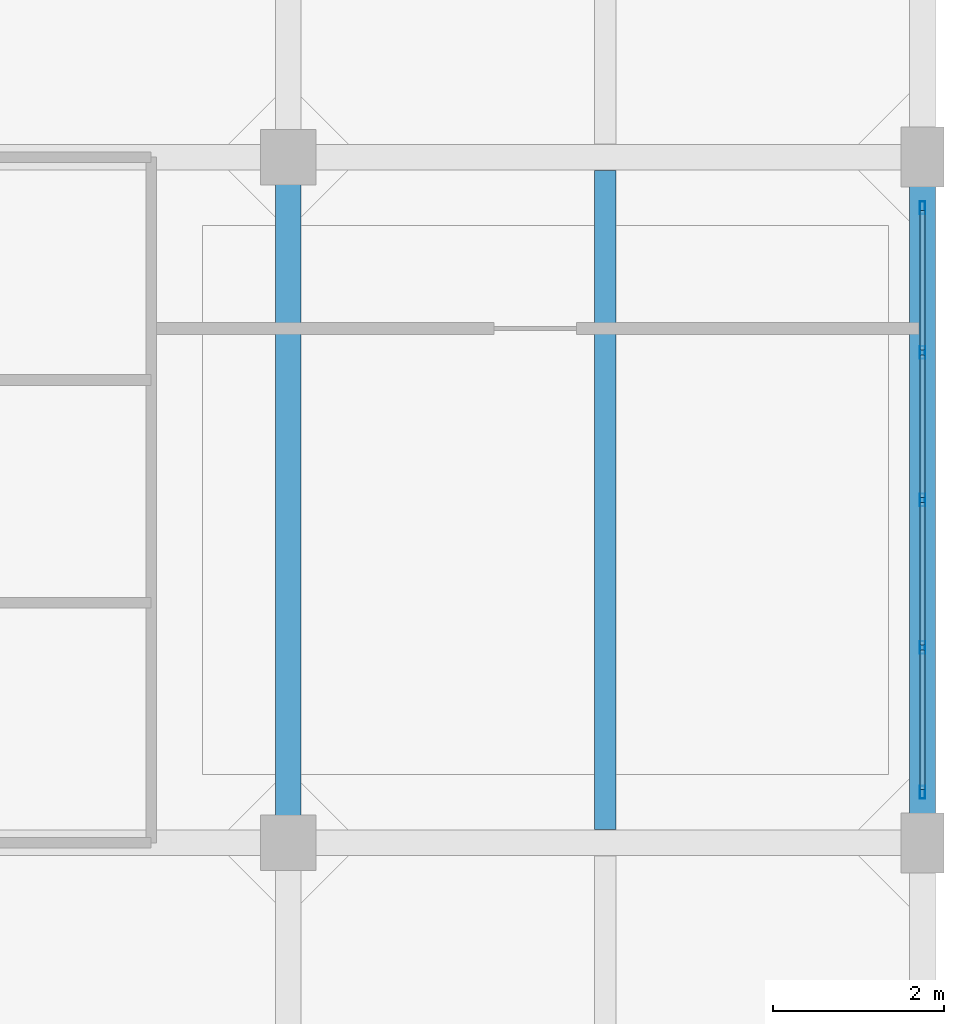
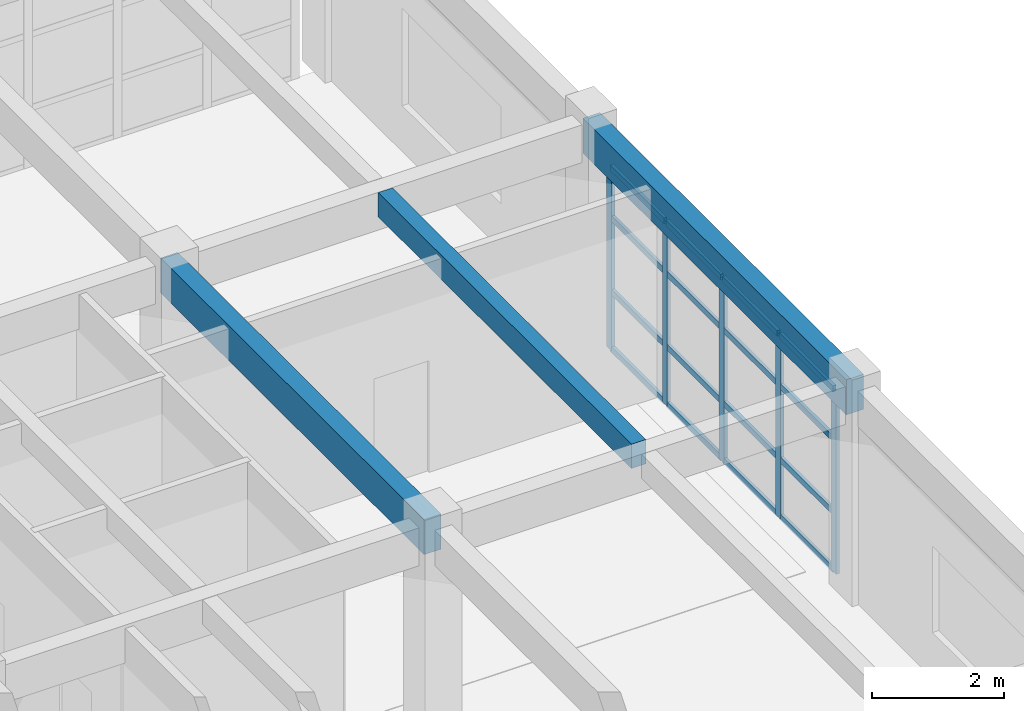
# One storey, part 8 of 18: 21 members, 3 beams, 1 element without a shape of its own.
"""IFC4 building model written with IfcOpenShell, lengths in metres."""

from ifc_helpers import new_model, si_unit, direction, frame, origin, origin_2d, place, context, subcontext, project, spatial, rectangle, hollow_rectangle, extrude, material, layer, layer_set, material_profile, profile_set, type_object, element, aggregate, save


model = new_model("IFC4")

# Units and contexts
model_context = context("Model", 3, precision=1e-05, world=origin(), true_north=direction((0.0, 1.0)))
body_context = subcontext(model_context, "Body", "Model", "MODEL_VIEW")
ifc_project = project(units=[si_unit("LENGTHUNIT", "METRE"), si_unit("AREAUNIT", "SQUARE_METRE"), si_unit("VOLUMEUNIT", "CUBIC_METRE"), si_unit("PLANEANGLEUNIT", "RADIAN"), si_unit("MASSUNIT", "GRAM", prefix="KILO")], contexts=[model_context])

# Site, building, storey
site_placement = place(None, origin())
site = spatial("IfcSite", under=ifc_project, at=site_placement, CompositionType="ELEMENT")
building_placement = place(site_placement, origin())
building = spatial("IfcBuilding", under=site, at=building_placement, Name="Canggui Botanical Conservatory", CompositionType="ELEMENT")
storey_placement = place(building_placement, frame((0.0, 0.0, 61.199951171875)))
storey = spatial("IfcBuildingStorey", under=building, at=storey_placement, Name="L15", CompositionType="ELEMENT", Elevation=61.199951171875)

# Beams
ifc_material_1 = material(Name="Concrete C35", Category="concrete")
ifc_material_profile_1 = material_profile(ifc_material_1, rectangle(XDim=0.25, YDim=0.449951171875, at=origin_2d()), Name="RB 250x450")
ifc_profile_set_1 = profile_set([ifc_material_profile_1], Name="Concrete C35")
beam_type_1 = type_object("IfcBeamType", Name="BM-JST05", PredefinedType="JOIST", material=ifc_profile_set_1)
beam_placement = place(storey_placement, frame((173.699951171875, 50.155029296875, 3.735107421875), z_axis=(0.0, 1.0, 0.0), x_axis=(-1.0, 0.0, 0.0)))
element("IfcBeam", 1, at=beam_placement, inside=storey, type_object=beam_type_1, Name="Secondary Floor Joist L15-4-2", PredefinedType="JOIST", context=body_context, shape_type="SweptSolid", body=[
    extrude(rectangle(XDim=0.25, YDim=0.449951171875, at=origin_2d()), origin(), (0.0, 0.0, 1.0), 7.68994140625),
])
ifc_material_profile_2 = material_profile(ifc_material_1, rectangle(XDim=0.300048828125, YDim=0.64990234375, at=origin_2d()), Name="RB 300x650")
ifc_profile_set_2 = profile_set([ifc_material_profile_2], Name="Concrete C35")
beam_type_2 = type_object("IfcBeamType", Name="BM-KL22", PredefinedType="BEAM", material=ifc_profile_set_2)
for number, where, z_axis, x_axis, name in (
    (2, (170.0, 50.0, 3.635009765625), (0.0, 1.0, 0.0), (-1.0, 0.0, 0.0), "Frame Girder L15 X170-2"),
    (3, (177.39990234375, 50.0, 3.635009765625), (0.0, 1.0, 0.0), (-1.0, 0.0, 0.0), "Frame Girder L15 X178-2"),
):
    element("IfcBeam", number, at=place(storey_placement, frame(where, z_axis=z_axis, x_axis=x_axis)), inside=storey, type_object=beam_type_2, Name=name, PredefinedType="BEAM", context=body_context, shape_type="SweptSolid", body=[
        extrude(rectangle(XDim=0.300048828125, YDim=0.64990234375, at=origin_2d()), origin(), (0.0, 0.0, 1.0), 8.0),
    ])

# Curtain wall, members
ifc_material_2 = material(Name="Thermally Broken Aluminium", Category="aluminium")
ifc_layer = layer(ifc_material_2, 0.14990234375, Name="Thermally Broken Aluminium", Category="aluminium")
ifc_layer_set = layer_set([ifc_layer], Name="Thermally Broken Aluminium")
curtain_wall_type = type_object("IfcCurtainWallType", Name="CW-UNIT-C", PredefinedType="USERDEFINED", material=ifc_layer_set)
curtain_wall_placement = place(storey_placement, origin())
curtain_wall = element("IfcCurtainWall", 4, at=curtain_wall_placement, inside=storey, type_object=curtain_wall_type, Name="Facade Curtain Wall CW-TWR-L15-11", ObjectType="UNITISED CURTAIN WALL", PredefinedType="USERDEFINED")
ifc_material_profile_3 = material_profile(ifc_material_2, hollow_rectangle(XDim=0.06005859375, YDim=0.14990234375, WallThickness=0.00341796875, at=origin_2d()), Name="CWM 60x150x3.5")
ifc_profile_set_3 = profile_set([ifc_material_profile_3], Name="Thermally Broken Aluminium")
member_type_1 = type_object("IfcMemberType", Name="CWM-03", PredefinedType="MULLION", material=ifc_profile_set_3)
member_1_placement = place(storey_placement, frame((177.39990234375, 57.409912109375, 0.0), z_axis=(0.0, 0.0, 1.0), x_axis=(1.0, 0.0, 0.0)))
member_1 = element("IfcMember", 5, at=member_1_placement, type_object=member_type_1, Name="CW-03 mullion 1", PredefinedType="MULLION", context=body_context, shape_type="SweptSolid", body=[
    extrude(hollow_rectangle(XDim=0.06005859375, YDim=0.14990234375, WallThickness=0.00341796875, at=origin_2d()), origin(), (0.0, 0.0, 1.0), 3.400146484375),
])
member_2_placement = place(storey_placement, frame((177.39990234375, 55.719970703125, 0.0), z_axis=(0.0, 0.0, 1.0), x_axis=(1.0, 0.0, 0.0)))
member_2 = element("IfcMember", 6, at=member_2_placement, type_object=member_type_1, Name="CW-03 mullion 2", PredefinedType="MULLION", context=body_context, shape_type="SweptSolid", body=[
    extrude(hollow_rectangle(XDim=0.06005859375, YDim=0.14990234375, WallThickness=0.00341796875, at=origin_2d()), origin(), (0.0, 0.0, 1.0), 3.400146484375),
])
member_3_placement = place(storey_placement, frame((177.39990234375, 54.0, 0.0), z_axis=(0.0, 0.0, 1.0), x_axis=(1.0, 0.0, 0.0)))
member_3 = element("IfcMember", 7, at=member_3_placement, type_object=member_type_1, Name="CW-03 mullion 3", PredefinedType="MULLION", context=body_context, shape_type="SweptSolid", body=[
    extrude(hollow_rectangle(XDim=0.06005859375, YDim=0.14990234375, WallThickness=0.00341796875, at=origin_2d()), origin(), (0.0, 0.0, 1.0), 3.400146484375),
])
member_4_placement = place(storey_placement, frame((177.39990234375, 52.280029296875, 0.0), z_axis=(0.0, 0.0, 1.0), x_axis=(1.0, 0.0, 0.0)))
member_4 = element("IfcMember", 8, at=member_4_placement, type_object=member_type_1, Name="CW-03 mullion 4", PredefinedType="MULLION", context=body_context, shape_type="SweptSolid", body=[
    extrude(hollow_rectangle(XDim=0.06005859375, YDim=0.14990234375, WallThickness=0.00341796875, at=origin_2d()), origin(), (0.0, 0.0, 1.0), 3.400146484375),
])
member_5_placement = place(storey_placement, frame((177.39990234375, 50.590087890625, 0.0), z_axis=(0.0, 0.0, 1.0), x_axis=(1.0, 0.0, 0.0)))
member_5 = element("IfcMember", 9, at=member_5_placement, type_object=member_type_1, Name="CW-03 mullion 5", PredefinedType="MULLION", context=body_context, shape_type="SweptSolid", body=[
    extrude(hollow_rectangle(XDim=0.06005859375, YDim=0.14990234375, WallThickness=0.00341796875, at=origin_2d()), origin(), (0.0, 0.0, 1.0), 3.400146484375),
])
ifc_material_profile_4 = material_profile(ifc_material_2, hollow_rectangle(XDim=0.054931640625, YDim=0.110107421875, WallThickness=0.0029296875, at=origin_2d()), Name="CWT 55x110x3")
ifc_profile_set_4 = profile_set([ifc_material_profile_4], Name="Thermally Broken Aluminium")
member_type_2 = type_object("IfcMemberType", Name="CWT-03", PredefinedType="USERDEFINED", material=ifc_profile_set_4)
member_6_placement = place(storey_placement, frame((177.39990234375, 57.3798828125, 0.027587890625), z_axis=(0.0, -1.0, 0.0), x_axis=(1.0, 0.0, 0.0)))
member_6 = element("IfcMember", 10, at=member_6_placement, type_object=member_type_2, Name="CW-03 transom 1.1", ObjectType="TRANSOM", PredefinedType="USERDEFINED", context=body_context, shape_type="SweptSolid", body=[
    extrude(hollow_rectangle(XDim=0.054931640625, YDim=0.110107421875, WallThickness=0.0029296875, at=origin_2d()), origin(), (0.0, 0.0, 1.0), 1.6298828125),
])
member_7_placement = place(storey_placement, frame((177.39990234375, 57.3798828125, 1.088134765625), z_axis=(0.0, -1.0, 0.0), x_axis=(1.0, 0.0, 0.0)))
member_7 = element("IfcMember", 11, at=member_7_placement, type_object=member_type_2, Name="CW-03 transom 1.2", ObjectType="TRANSOM", PredefinedType="USERDEFINED", context=body_context, shape_type="SweptSolid", body=[
    extrude(hollow_rectangle(XDim=0.054931640625, YDim=0.110107421875, WallThickness=0.0029296875, at=origin_2d()), origin(), (0.0, 0.0, 1.0), 1.6298828125),
])
member_8_placement = place(storey_placement, frame((177.39990234375, 57.3798828125, 2.447998046875), z_axis=(0.0, -1.0, 0.0), x_axis=(1.0, 0.0, 0.0)))
member_8 = element("IfcMember", 12, at=member_8_placement, type_object=member_type_2, Name="CW-03 transom 1.3", ObjectType="TRANSOM", PredefinedType="USERDEFINED", context=body_context, shape_type="SweptSolid", body=[
    extrude(hollow_rectangle(XDim=0.054931640625, YDim=0.110107421875, WallThickness=0.0029296875, at=origin_2d()), origin(), (0.0, 0.0, 1.0), 1.6298828125),
])
member_9_placement = place(storey_placement, frame((177.39990234375, 57.3798828125, 3.37255859375), z_axis=(0.0, -1.0, 0.0), x_axis=(1.0, 0.0, 0.0)))
member_9 = element("IfcMember", 13, at=member_9_placement, type_object=member_type_2, Name="CW-03 transom 1.4", ObjectType="TRANSOM", PredefinedType="USERDEFINED", context=body_context, shape_type="SweptSolid", body=[
    extrude(hollow_rectangle(XDim=0.054931640625, YDim=0.110107421875, WallThickness=0.0029296875, at=origin_2d()), origin(), (0.0, 0.0, 1.0), 1.6298828125),
])
member_10_placement = place(storey_placement, frame((177.39990234375, 55.68994140625, 0.027587890625), z_axis=(0.0, -1.0, 0.0), x_axis=(1.0, 0.0, 0.0)))
member_10 = element("IfcMember", 14, at=member_10_placement, type_object=member_type_2, Name="CW-03 transom 2.1", ObjectType="TRANSOM", PredefinedType="USERDEFINED", context=body_context, shape_type="SweptSolid", body=[
    extrude(hollow_rectangle(XDim=0.054931640625, YDim=0.110107421875, WallThickness=0.0029296875, at=origin_2d()), origin(), (0.0, 0.0, 1.0), 1.659912109375),
])
member_11_placement = place(storey_placement, frame((177.39990234375, 55.68994140625, 1.088134765625), z_axis=(0.0, -1.0, 0.0), x_axis=(1.0, 0.0, 0.0)))
member_11 = element("IfcMember", 15, at=member_11_placement, type_object=member_type_2, Name="CW-03 transom 2.2", ObjectType="TRANSOM", PredefinedType="USERDEFINED", context=body_context, shape_type="SweptSolid", body=[
    extrude(hollow_rectangle(XDim=0.054931640625, YDim=0.110107421875, WallThickness=0.0029296875, at=origin_2d()), origin(), (0.0, 0.0, 1.0), 1.659912109375),
])
member_12_placement = place(storey_placement, frame((177.39990234375, 55.68994140625, 2.447998046875), z_axis=(0.0, -1.0, 0.0), x_axis=(1.0, 0.0, 0.0)))
member_12 = element("IfcMember", 16, at=member_12_placement, type_object=member_type_2, Name="CW-03 transom 2.3", ObjectType="TRANSOM", PredefinedType="USERDEFINED", context=body_context, shape_type="SweptSolid", body=[
    extrude(hollow_rectangle(XDim=0.054931640625, YDim=0.110107421875, WallThickness=0.0029296875, at=origin_2d()), origin(), (0.0, 0.0, 1.0), 1.659912109375),
])
member_13_placement = place(storey_placement, frame((177.39990234375, 55.68994140625, 3.37255859375), z_axis=(0.0, -1.0, 0.0), x_axis=(1.0, 0.0, 0.0)))
member_13 = element("IfcMember", 17, at=member_13_placement, type_object=member_type_2, Name="CW-03 transom 2.4", ObjectType="TRANSOM", PredefinedType="USERDEFINED", context=body_context, shape_type="SweptSolid", body=[
    extrude(hollow_rectangle(XDim=0.054931640625, YDim=0.110107421875, WallThickness=0.0029296875, at=origin_2d()), origin(), (0.0, 0.0, 1.0), 1.659912109375),
])
member_14_placement = place(storey_placement, frame((177.39990234375, 53.969970703125, 0.027587890625), z_axis=(0.0, -1.0, 0.0), x_axis=(1.0, 0.0, 0.0)))
member_14 = element("IfcMember", 18, at=member_14_placement, type_object=member_type_2, Name="CW-03 transom 3.1", ObjectType="TRANSOM", PredefinedType="USERDEFINED", context=body_context, shape_type="SweptSolid", body=[
    extrude(hollow_rectangle(XDim=0.054931640625, YDim=0.110107421875, WallThickness=0.0029296875, at=origin_2d()), origin(), (0.0, 0.0, 1.0), 1.659912109375),
])
member_15_placement = place(storey_placement, frame((177.39990234375, 53.969970703125, 1.088134765625), z_axis=(0.0, -1.0, 0.0), x_axis=(1.0, 0.0, 0.0)))
member_15 = element("IfcMember", 19, at=member_15_placement, type_object=member_type_2, Name="CW-03 transom 3.2", ObjectType="TRANSOM", PredefinedType="USERDEFINED", context=body_context, shape_type="SweptSolid", body=[
    extrude(hollow_rectangle(XDim=0.054931640625, YDim=0.110107421875, WallThickness=0.0029296875, at=origin_2d()), origin(), (0.0, 0.0, 1.0), 1.659912109375),
])
member_16_placement = place(storey_placement, frame((177.39990234375, 53.969970703125, 2.447998046875), z_axis=(0.0, -1.0, 0.0), x_axis=(1.0, 0.0, 0.0)))
member_16 = element("IfcMember", 20, at=member_16_placement, type_object=member_type_2, Name="CW-03 transom 3.3", ObjectType="TRANSOM", PredefinedType="USERDEFINED", context=body_context, shape_type="SweptSolid", body=[
    extrude(hollow_rectangle(XDim=0.054931640625, YDim=0.110107421875, WallThickness=0.0029296875, at=origin_2d()), origin(), (0.0, 0.0, 1.0), 1.659912109375),
])
member_17_placement = place(storey_placement, frame((177.39990234375, 53.969970703125, 3.37255859375), z_axis=(0.0, -1.0, 0.0), x_axis=(1.0, 0.0, 0.0)))
member_17 = element("IfcMember", 21, at=member_17_placement, type_object=member_type_2, Name="CW-03 transom 3.4", ObjectType="TRANSOM", PredefinedType="USERDEFINED", context=body_context, shape_type="SweptSolid", body=[
    extrude(hollow_rectangle(XDim=0.054931640625, YDim=0.110107421875, WallThickness=0.0029296875, at=origin_2d()), origin(), (0.0, 0.0, 1.0), 1.659912109375),
])
member_18_placement = place(storey_placement, frame((177.39990234375, 52.25, 0.027587890625), z_axis=(0.0, -1.0, 0.0), x_axis=(1.0, 0.0, 0.0)))
member_18 = element("IfcMember", 22, at=member_18_placement, type_object=member_type_2, Name="CW-03 transom 4.1", ObjectType="TRANSOM", PredefinedType="USERDEFINED", context=body_context, shape_type="SweptSolid", body=[
    extrude(hollow_rectangle(XDim=0.054931640625, YDim=0.110107421875, WallThickness=0.0029296875, at=origin_2d()), origin(), (0.0, 0.0, 1.0), 1.6298828125),
])
member_19_placement = place(storey_placement, frame((177.39990234375, 52.25, 1.088134765625), z_axis=(0.0, -1.0, 0.0), x_axis=(1.0, 0.0, 0.0)))
member_19 = element("IfcMember", 23, at=member_19_placement, type_object=member_type_2, Name="CW-03 transom 4.2", ObjectType="TRANSOM", PredefinedType="USERDEFINED", context=body_context, shape_type="SweptSolid", body=[
    extrude(hollow_rectangle(XDim=0.054931640625, YDim=0.110107421875, WallThickness=0.0029296875, at=origin_2d()), origin(), (0.0, 0.0, 1.0), 1.6298828125),
])
member_20_placement = place(storey_placement, frame((177.39990234375, 52.25, 2.447998046875), z_axis=(0.0, -1.0, 0.0), x_axis=(1.0, 0.0, 0.0)))
member_20 = element("IfcMember", 24, at=member_20_placement, type_object=member_type_2, Name="CW-03 transom 4.3", ObjectType="TRANSOM", PredefinedType="USERDEFINED", context=body_context, shape_type="SweptSolid", body=[
    extrude(hollow_rectangle(XDim=0.054931640625, YDim=0.110107421875, WallThickness=0.0029296875, at=origin_2d()), origin(), (0.0, 0.0, 1.0), 1.6298828125),
])
member_21_placement = place(storey_placement, frame((177.39990234375, 52.25, 3.37255859375), z_axis=(0.0, -1.0, 0.0), x_axis=(1.0, 0.0, 0.0)))
member_21 = element("IfcMember", 25, at=member_21_placement, type_object=member_type_2, Name="CW-03 transom 4.4", ObjectType="TRANSOM", PredefinedType="USERDEFINED", context=body_context, shape_type="SweptSolid", body=[
    extrude(hollow_rectangle(XDim=0.054931640625, YDim=0.110107421875, WallThickness=0.0029296875, at=origin_2d()), origin(), (0.0, 0.0, 1.0), 1.6298828125),
])
aggregate(curtain_wall, [member_1, member_2, member_3, member_4, member_5, member_6, member_7, member_8, member_9, member_10, member_11, member_12, member_13, member_14, member_15, member_16, member_17, member_18, member_19, member_20, member_21])

save(model, "model.ifc")
